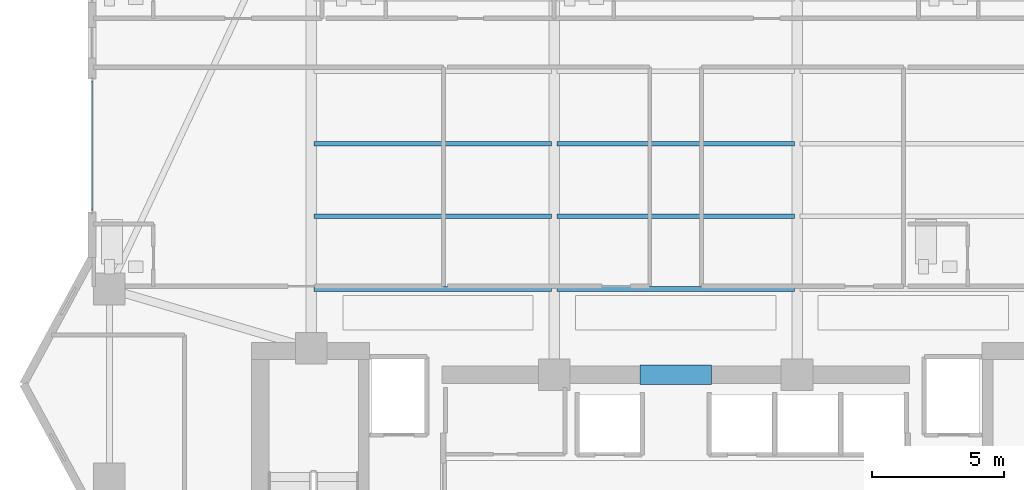
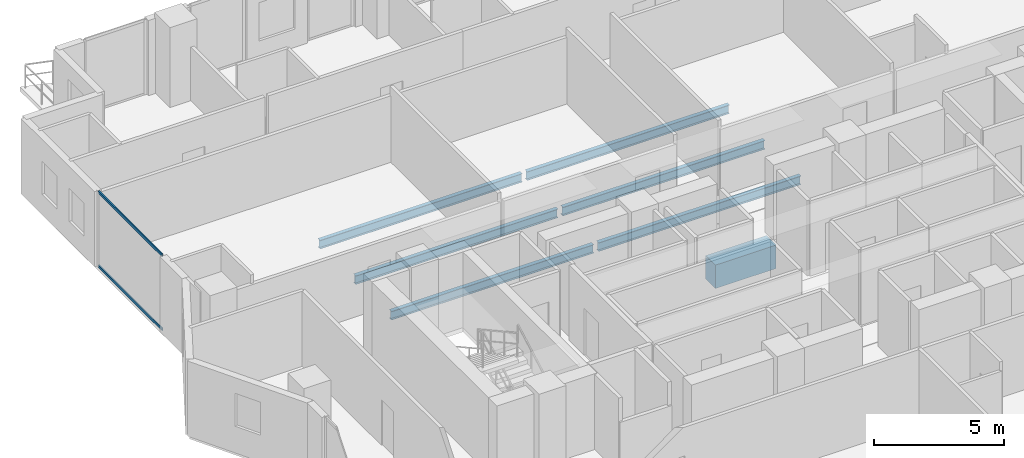
# One storey, part 9 of 33: 7 beams, 2 members, 1 element without a shape of its own.
"""IFC4 building model written with IfcOpenShell, lengths in metres."""

from ifc_helpers import new_model, si_unit, direction, frame, origin, origin_2d, place, context, subcontext, project, spatial, rectangle, hollow_rectangle, i_section, extrude, material, layer, layer_set, material_profile, profile_set, type_object, element, aggregate, save


model = new_model("IFC4")

# Units and contexts
model_context = context("Model", 3, precision=1e-05, world=origin(), true_north=direction((0.0, 1.0)))
body_context = subcontext(model_context, "Body", "Model", "MODEL_VIEW")
ifc_project = project(units=[si_unit("LENGTHUNIT", "METRE"), si_unit("AREAUNIT", "SQUARE_METRE"), si_unit("VOLUMEUNIT", "CUBIC_METRE"), si_unit("PLANEANGLEUNIT", "RADIAN"), si_unit("MASSUNIT", "GRAM", prefix="KILO")], contexts=[model_context])

# Site, building, storey
site_placement = place(None, origin())
site = spatial("IfcSite", under=ifc_project, at=site_placement, CompositionType="ELEMENT")
building_placement = place(site_placement, origin())
building = spatial("IfcBuilding", under=site, at=building_placement, Name="Zuhayl Quay Hotel", CompositionType="ELEMENT")
storey_placement = place(building_placement, frame((0.0, 0.0, 214.89990234375)))
storey = spatial("IfcBuildingStorey", under=building, at=storey_placement, Name="L54", CompositionType="ELEMENT", Elevation=214.89990234375)

# Beams
ifc_material_1 = material(Name="Concrete C60/75", Category="concrete")
ifc_material_profile_1 = material_profile(ifc_material_1, rectangle(XDim=0.75, YDim=1.10009765625, at=origin_2d()), Name="RC750X1100")
ifc_profile_set_1 = profile_set([ifc_material_profile_1], Name="Concrete C60/75")
beam_type_1 = type_object("IfcBeamType", Name="BM_CB2_RC750", PredefinedType="T_BEAM", material=ifc_profile_set_1)
beam_1_placement = place(storey_placement, frame((-1.35009765625, 13.35009765625, -0.77001953125), z_axis=(1.0, 0.0, 0.0), x_axis=(0.0, 1.0, 0.0)))
element("IfcBeam", 1, at=beam_1_placement, inside=storey, type_object=beam_type_1, Name="L54 Core Coupling Beam North", PredefinedType="T_BEAM", context=body_context, shape_type="SweptSolid", body=[
    extrude(rectangle(XDim=0.75, YDim=1.10009765625, at=origin_2d()), origin(), (0.0, 0.0, 1.0), 2.7001953125),
])
ifc_material_2 = material(Name="Steel ASTM A992 Grade 50", Category="steel")
ifc_material_profile_2 = material_profile(ifc_material_2, i_section(OverallWidth=0.177978515625, OverallDepth=0.406005859375, WebThickness=0.0078125, FlangeThickness=0.0126953125, at=origin_2d()), Name="W16X40")
ifc_profile_set_2 = profile_set([ifc_material_profile_2], Name="Steel ASTM A992 Grade 50")
beam_type_2 = type_object("IfcBeamType", Name="BM_J2B_W16X40", PredefinedType="JOIST", material=ifc_profile_set_2)
beam_2_placement = place(storey_placement, frame((-13.694091796875, 16.60009765625, -0.4228515625), z_axis=(1.0, 0.0, 0.0), x_axis=(0.0, 1.0, 0.0)))
element("IfcBeam", 2, at=beam_2_placement, inside=storey, type_object=beam_type_2, Name="L54 Floor Beam FJ_L54_1_1", PredefinedType="JOIST", context=body_context, shape_type="SweptSolid", body=[
    extrude(i_section(OverallWidth=0.177978515625, OverallDepth=0.406005859375, WebThickness=0.0078125, FlangeThickness=0.0126953125, at=origin_2d()), origin(), (0.0, 0.0, 1.0), 8.988037109375),
])
beam_3_placement = place(storey_placement, frame((-4.493896484375, 16.60009765625, -0.4228515625), z_axis=(1.0, 0.0, 0.0), x_axis=(0.0, 1.0, 0.0)))
element("IfcBeam", 3, at=beam_3_placement, inside=storey, type_object=beam_type_2, Name="L54 Floor Beam FJ_L54_1_2", PredefinedType="JOIST", context=body_context, shape_type="SweptSolid", body=[
    extrude(i_section(OverallWidth=0.177978515625, OverallDepth=0.406005859375, WebThickness=0.0078125, FlangeThickness=0.0126953125, at=origin_2d()), origin(), (0.0, 0.0, 1.0), 8.98779296875),
])
beam_4_placement = place(storey_placement, frame((-13.694091796875, 19.35009765625, -0.4228515625), z_axis=(1.0, 0.0, 0.0), x_axis=(0.0, 1.0, 0.0)))
element("IfcBeam", 4, at=beam_4_placement, inside=storey, type_object=beam_type_2, Name="L54 Floor Beam FJ_L54_2_1", PredefinedType="JOIST", context=body_context, shape_type="SweptSolid", body=[
    extrude(i_section(OverallWidth=0.177978515625, OverallDepth=0.406005859375, WebThickness=0.0078125, FlangeThickness=0.0126953125, at=origin_2d()), origin(), (0.0, 0.0, 1.0), 8.988037109375),
])
beam_5_placement = place(storey_placement, frame((-4.493896484375, 19.35009765625, -0.4228515625), z_axis=(1.0, 0.0, 0.0), x_axis=(0.0, 1.0, 0.0)))
element("IfcBeam", 5, at=beam_5_placement, inside=storey, type_object=beam_type_2, Name="L54 Floor Beam FJ_L54_2_2", PredefinedType="JOIST", context=body_context, shape_type="SweptSolid", body=[
    extrude(i_section(OverallWidth=0.177978515625, OverallDepth=0.406005859375, WebThickness=0.0078125, FlangeThickness=0.0126953125, at=origin_2d()), origin(), (0.0, 0.0, 1.0), 8.98779296875),
])
beam_6_placement = place(storey_placement, frame((-13.694091796875, 22.10009765625, -0.4228515625), z_axis=(1.0, 0.0, 0.0), x_axis=(0.0, 1.0, 0.0)))
element("IfcBeam", 6, at=beam_6_placement, inside=storey, type_object=beam_type_2, Name="L54 Floor Beam FJ_L54_3_1", PredefinedType="JOIST", context=body_context, shape_type="SweptSolid", body=[
    extrude(i_section(OverallWidth=0.177978515625, OverallDepth=0.406005859375, WebThickness=0.0078125, FlangeThickness=0.0126953125, at=origin_2d()), origin(), (0.0, 0.0, 1.0), 8.988037109375),
])
beam_7_placement = place(storey_placement, frame((-4.493896484375, 22.10009765625, -0.4228515625), z_axis=(1.0, 0.0, 0.0), x_axis=(0.0, 1.0, 0.0)))
element("IfcBeam", 7, at=beam_7_placement, inside=storey, type_object=beam_type_2, Name="L54 Floor Beam FJ_L54_3_2", PredefinedType="JOIST", context=body_context, shape_type="SweptSolid", body=[
    extrude(i_section(OverallWidth=0.177978515625, OverallDepth=0.406005859375, WebThickness=0.0078125, FlangeThickness=0.0126953125, at=origin_2d()), origin(), (0.0, 0.0, 1.0), 8.98779296875),
])

# Curtain wall, members
ifc_material_3 = material(Name="Anodised Aluminium 6063-T6", Category="aluminium")
ifc_layer = layer(ifc_material_3, 0.175048828125, Name="Anodised Aluminium 6063-T6", Category="aluminium")
ifc_layer_set = layer_set([ifc_layer], Name="Anodised Aluminium 6063-T6")
curtain_wall_type = type_object("IfcCurtainWallType", Name="CW_SYS_Z3", PredefinedType="USERDEFINED", material=ifc_layer_set)
curtain_wall_placement = place(storey_placement, origin())
curtain_wall = element("IfcCurtainWall", 8, at=curtain_wall_placement, inside=storey, type_object=curtain_wall_type, Name="L54 Curtain Wall ENV_L54_E05_CW1", ObjectType="UNITISED CURTAIN WALL", PredefinedType="USERDEFINED")
ifc_material_4 = material(Name="Black-anodised aluminium 6063-T6", Category="aluminium")
ifc_material_profile_3 = material_profile(ifc_material_4, hollow_rectangle(XDim=0.054931640625, YDim=0.1298828125, WallThickness=0.0029296875, at=origin_2d()), Name="ALU130X55")
ifc_profile_set_3 = profile_set([ifc_material_profile_3], Name="Black-anodised aluminium 6063-T6")
member_type = type_object("IfcMemberType", Name="MB_CW_TRN_130", PredefinedType="USERDEFINED", material=ifc_profile_set_3)
member_1_placement = place(storey_placement, frame((-22.10009765625, 19.574951171875, 0.027587890625), z_axis=(0.0, 1.0, 0.0), x_axis=(-1.0, 0.0, 0.0)))
member_1 = element("IfcMember", 9, at=member_1_placement, type_object=member_type, Name="CW-Z3 transom 1.1", ObjectType="TRANSOM", PredefinedType="USERDEFINED", context=body_context, shape_type="SweptSolid", body=[
    extrude(hollow_rectangle(XDim=0.054931640625, YDim=0.1298828125, WallThickness=0.0029296875, at=origin_2d()), origin(), (0.0, 0.0, 1.0), 4.91015625),
])
member_2_placement = place(storey_placement, frame((-22.10009765625, 19.574951171875, 3.502685546875), z_axis=(0.0, 1.0, 0.0), x_axis=(-1.0, 0.0, 0.0)))
member_2 = element("IfcMember", 10, at=member_2_placement, type_object=member_type, Name="CW-Z3 transom 1.2", ObjectType="TRANSOM", PredefinedType="USERDEFINED", context=body_context, shape_type="SweptSolid", body=[
    extrude(hollow_rectangle(XDim=0.054931640625, YDim=0.1298828125, WallThickness=0.0029296875, at=origin_2d()), origin(), (0.0, 0.0, 1.0), 4.91015625),
])
aggregate(curtain_wall, [member_1, member_2])

save(model, "model.ifc")
